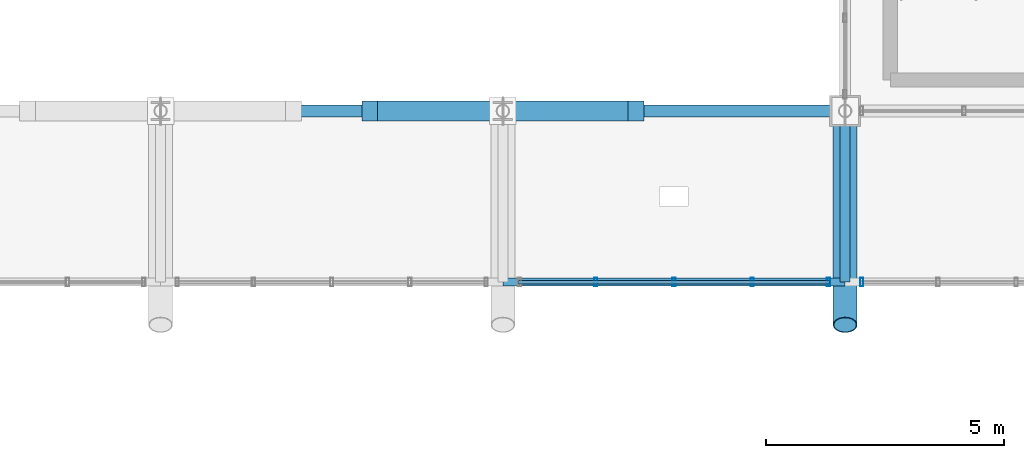
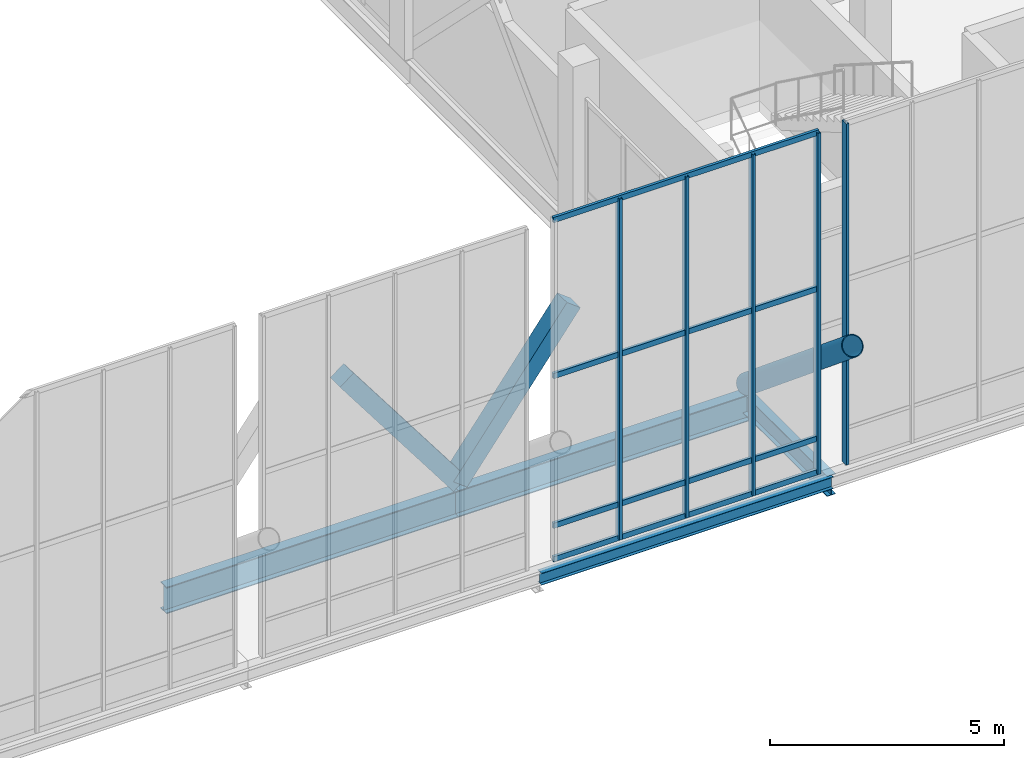
# One storey, part 44 of 102: 12 members, 4 beams, 2 elements without a shape of their own.
"""IFC4 building model written with IfcOpenShell, lengths in metres."""

from ifc_helpers import new_model, si_unit, direction, frame, origin, origin_2d, place, context, subcontext, project, spatial, rectangle, hollow_rectangle, hollow_circle, i_section, extrude, material, material_profile, profile_set, type_object, element, aggregate, save


model = new_model("IFC4")

# Units and contexts
model_context = context("Model", 3, precision=1e-05, world=origin(), true_north=direction((0.0, 1.0)))
body_context = subcontext(model_context, "Body", "Model", "MODEL_VIEW")
ifc_project = project(units=[si_unit("LENGTHUNIT", "METRE"), si_unit("AREAUNIT", "SQUARE_METRE"), si_unit("VOLUMEUNIT", "CUBIC_METRE"), si_unit("PLANEANGLEUNIT", "RADIAN"), si_unit("MASSUNIT", "GRAM", prefix="KILO")], contexts=[model_context])

# Site, building, storey
site_placement = place(None, origin())
site = spatial("IfcSite", under=ifc_project, at=site_placement, CompositionType="ELEMENT")
building_placement = place(site_placement, origin())
building = spatial("IfcBuilding", under=site, at=building_placement, Name="Yarey Park Central Fire Station", CompositionType="ELEMENT")
storey_placement = place(building_placement, frame((0.0, 0.0, 6.0)))
storey = spatial("IfcBuildingStorey", under=building, at=storey_placement, Name="L02", CompositionType="ELEMENT", Elevation=6.0)

# Curtain wall, members
ifc_material_1 = material(Name="Anodized Aluminium Frame", Category="aluminium")
curtain_wall_type = type_object("IfcCurtainWallType", Name="ENV_CW_CLER_9M", PredefinedType="NOTDEFINED", material=ifc_material_1)
curtain_wall_1_placement = place(storey_placement, origin())
curtain_wall_1 = element("IfcCurtainWall", 1, at=curtain_wall_1_placement, inside=storey, type_object=curtain_wall_type, Name="CW_V2_CLER_N_08", PredefinedType="NOTDEFINED")
ifc_material_profile_1 = material_profile(ifc_material_1, hollow_rectangle(XDim=0.070068359375, YDim=0.179931640625, WallThickness=0.00390625, at=origin_2d()), Name="ALU 180x70x4")
ifc_profile_set_1 = profile_set([ifc_material_profile_1], Name="Anodized Aluminium Frame")
member_type_1 = type_object("IfcMemberType", Name="ENV_CW_MULLION", PredefinedType="MULLION", material=ifc_profile_set_1)
member_1_placement = place(storey_placement, frame((114.85009765625, 90.0, 0.0), z_axis=(0.0, 0.0, 1.0), x_axis=(1.0, 0.0, 0.0)))
member_1 = element("IfcMember", 2, at=member_1_placement, type_object=member_type_1, Name="CW_V2_CLER_N_08_MUL1", PredefinedType="MULLION", context=body_context, shape_type="SweptSolid", body=[
    extrude(hollow_rectangle(XDim=0.070068359375, YDim=0.179931640625, WallThickness=0.00390625, at=origin_2d()), origin(), (0.0, 0.0, 1.0), 8.89990234375),
])
member_2_placement = place(storey_placement, frame((113.2451171875, 90.0, 0.0), z_axis=(0.0, 0.0, 1.0), x_axis=(1.0, 0.0, 0.0)))
member_2 = element("IfcMember", 3, at=member_2_placement, type_object=member_type_1, Name="CW_V2_CLER_N_08_MUL2", PredefinedType="MULLION", context=body_context, shape_type="SweptSolid", body=[
    extrude(hollow_rectangle(XDim=0.070068359375, YDim=0.179931640625, WallThickness=0.00390625, at=origin_2d()), origin(), (0.0, 0.0, 1.0), 8.89990234375),
])
member_3_placement = place(storey_placement, frame((111.60009765625, 90.0, 0.0), z_axis=(0.0, 0.0, 1.0), x_axis=(1.0, 0.0, 0.0)))
member_3 = element("IfcMember", 4, at=member_3_placement, type_object=member_type_1, Name="CW_V2_CLER_N_08_MUL3", PredefinedType="MULLION", context=body_context, shape_type="SweptSolid", body=[
    extrude(hollow_rectangle(XDim=0.070068359375, YDim=0.179931640625, WallThickness=0.00390625, at=origin_2d()), origin(), (0.0, 0.0, 1.0), 8.89990234375),
])
member_4_placement = place(storey_placement, frame((109.955078125, 90.0, 0.0), z_axis=(0.0, 0.0, 1.0), x_axis=(1.0, 0.0, 0.0)))
member_4 = element("IfcMember", 5, at=member_4_placement, type_object=member_type_1, Name="CW_V2_CLER_N_08_MUL4", PredefinedType="MULLION", context=body_context, shape_type="SweptSolid", body=[
    extrude(hollow_rectangle(XDim=0.070068359375, YDim=0.179931640625, WallThickness=0.00390625, at=origin_2d()), origin(), (0.0, 0.0, 1.0), 8.89990234375),
])

# Curtain wall, member
curtain_wall_2_placement = place(storey_placement, origin())
curtain_wall_2 = element("IfcCurtainWall", 6, at=curtain_wall_2_placement, inside=storey, type_object=curtain_wall_type, Name="CW_V2_CLER_N_09", PredefinedType="NOTDEFINED")
member_5_placement = place(storey_placement, frame((115.550048828125, 90.0, 0.0), z_axis=(0.0, 0.0, 1.0), x_axis=(1.0, 0.0, 0.0)))
member_5 = element("IfcMember", 7, at=member_5_placement, type_object=member_type_1, Name="CW_V2_CLER_N_09_MUL5", PredefinedType="MULLION", context=body_context, shape_type="SweptSolid", body=[
    extrude(hollow_rectangle(XDim=0.070068359375, YDim=0.179931640625, WallThickness=0.00390625, at=origin_2d()), origin(), (0.0, 0.0, 1.0), 8.89990234375),
])
aggregate(curtain_wall_2, [member_5])

# Member
ifc_material_profile_2 = material_profile(ifc_material_1, hollow_rectangle(XDim=0.070068359375, YDim=0.139892578125, WallThickness=0.00390625, at=origin_2d()), Name="ALU 140x70x4")
ifc_profile_set_2 = profile_set([ifc_material_profile_2], Name="Anodized Aluminium Frame")
member_type_2 = type_object("IfcMemberType", Name="ENV_CW_TRANSOM", PredefinedType="USERDEFINED", material=ifc_profile_set_2)
member_6_placement = place(storey_placement, frame((114.875, 90.0, 0.02490234375), z_axis=(-1.0, 0.0, 0.0), x_axis=(0.0, -1.0, 0.0)))
member_6 = element("IfcMember", 8, at=member_6_placement, type_object=member_type_2, Name="CW_V2_CLER_N_08_TRN1", ObjectType="TRANSOM", PredefinedType="USERDEFINED", context=body_context, shape_type="SweptSolid", body=[
    extrude(hollow_rectangle(XDim=0.070068359375, YDim=0.139892578125, WallThickness=0.00390625, at=origin_2d()), origin(), (0.0, 0.0, 1.0), 6.550048828125),
])

member_7_placement = place(storey_placement, frame((114.875, 90.0, 0.89990234375), z_axis=(-1.0, 0.0, 0.0), x_axis=(0.0, -1.0, 0.0)))
member_7 = element("IfcMember", 9, at=member_7_placement, type_object=member_type_2, Name="CW_V2_CLER_N_08_TRN2", ObjectType="TRANSOM", PredefinedType="USERDEFINED", context=body_context, shape_type="SweptSolid", body=[
    extrude(hollow_rectangle(XDim=0.070068359375, YDim=0.139892578125, WallThickness=0.00390625, at=origin_2d()), origin(), (0.0, 0.0, 1.0), 6.550048828125),
])

member_8_placement = place(storey_placement, frame((114.875, 90.0, 4.805908203125), z_axis=(-1.0, 0.0, 0.0), x_axis=(0.0, -1.0, 0.0)))
member_8 = element("IfcMember", 10, at=member_8_placement, type_object=member_type_2, Name="CW_V2_CLER_N_08_TRN3", ObjectType="TRANSOM", PredefinedType="USERDEFINED", context=body_context, shape_type="SweptSolid", body=[
    extrude(hollow_rectangle(XDim=0.070068359375, YDim=0.139892578125, WallThickness=0.00390625, at=origin_2d()), origin(), (0.0, 0.0, 1.0), 6.550048828125),
])

member_9_placement = place(storey_placement, frame((114.875, 90.0, 8.875), z_axis=(-1.0, 0.0, 0.0), x_axis=(0.0, -1.0, 0.0)))
member_9 = element("IfcMember", 11, at=member_9_placement, type_object=member_type_2, Name="CW_V2_CLER_N_08_TRN4", ObjectType="TRANSOM", PredefinedType="USERDEFINED", context=body_context, shape_type="SweptSolid", body=[
    extrude(hollow_rectangle(XDim=0.070068359375, YDim=0.139892578125, WallThickness=0.00390625, at=origin_2d()), origin(), (0.0, 0.0, 1.0), 6.550048828125),
])

aggregate(curtain_wall_1, [member_1, member_2, member_3, member_4, member_6, member_7, member_8, member_9])

# Beams
ifc_material_2 = material(Name="Steel ASTM A992 Gr. 50", Category="steel")
ifc_material_profile_3 = material_profile(ifc_material_2, i_section(OverallWidth=0.208984375, OverallDepth=0.532958984375, WebThickness=0.01025390625, FlangeThickness=0.015625, at=origin_2d()), Name="W530x92")
ifc_profile_set_3 = profile_set([ifc_material_profile_3], Name="Steel ASTM A992 Gr. 50")
beam_type_1 = type_object("IfcBeamType", Name="STR_BM_W530", PredefinedType="BEAM", material=ifc_profile_set_3)
beam_1_placement = place(storey_placement, frame((115.199951171875, 90.0, -0.46142578125), z_axis=(0.0, 1.0, 0.0), x_axis=(-1.0, 0.0, 0.0)))
element("IfcBeam", 12, at=beam_1_placement, inside=storey, type_object=beam_type_1, Name="EAVE RIB N 08", PredefinedType="BEAM", context=body_context, shape_type="SweptSolid", body=[
    extrude(i_section(OverallWidth=0.208984375, OverallDepth=0.532958984375, WebThickness=0.01025390625, FlangeThickness=0.015625, at=origin_2d()), origin(), (0.0, 0.0, 1.0), 3.60009765625),
])
ifc_material_profile_4 = material_profile(ifc_material_2, i_section(OverallWidth=0.256103515625, OverallDepth=0.693115234375, WebThickness=0.014404296875, FlangeThickness=0.023681640625, at=origin_2d()), Name="W690x170")
ifc_profile_set_4 = profile_set([ifc_material_profile_4], Name="Steel ASTM A992 Gr. 50")
beam_type_2 = type_object("IfcBeamType", Name="STR_BM_W690", PredefinedType="BEAM", material=ifc_profile_set_4)
for number, where, z_axis, x_axis, name in (
    (13, (100.800048828125, 93.60009765625, -0.54150390625), (1.0, 0.0, 0.0), (0.0, 1.0, 0.0), "BMX L02 Y936 X1008"),
    (14, (108.0, 93.60009765625, -0.54150390625), (1.0, 0.0, 0.0), (0.0, 1.0, 0.0), "BMX L02 Y936 X1080"),
):
    element("IfcBeam", number, at=place(storey_placement, frame(where, z_axis=z_axis, x_axis=x_axis)), inside=storey, type_object=beam_type_2, Name=name, PredefinedType="BEAM", context=body_context, shape_type="SweptSolid", body=[
        extrude(i_section(OverallWidth=0.256103515625, OverallDepth=0.693115234375, WebThickness=0.014404296875, FlangeThickness=0.023681640625, at=origin_2d()), origin(), (0.0, 0.0, 1.0), 7.199951171875),
    ])

# Member
ifc_material_3 = material(Name="Steel ASTM A500 Gr. C", Category="steel")
ifc_material_profile_5 = material_profile(ifc_material_3, hollow_circle(Radius=0.25390625, WallThickness=0.02001953125, at=origin_2d()), Name="CHS 508x20")
ifc_profile_set_5 = profile_set([ifc_material_profile_5], Name="Steel ASTM A500 Gr. C")
member_type_3 = type_object("IfcMemberType", Name="STR_CHORD_CHS508", PredefinedType="CHORD", material=ifc_profile_set_5)
member_10_placement = place(storey_placement, frame((115.199951171875, 89.10009765625, 3.71875), z_axis=(0.0, 0.770847459396, -0.637019775473), x_axis=(-1.0, 0.0, 0.0)))
element("IfcMember", 15, at=member_10_placement, inside=storey, type_object=member_type_3, Name="Arched Roof Truss ART_09 Bottom Chord 8", PredefinedType="CHORD", context=body_context, shape_type="SweptSolid", body=[
    extrude(hollow_circle(Radius=0.25390625, WallThickness=0.02001953125, at=origin_2d()), origin(), (0.0, 0.0, 1.0), 5.837646484375),
])

# Beam
ifc_material_profile_6 = material_profile(ifc_material_2, i_section(OverallWidth=0.1650390625, OverallDepth=0.31005859375, WebThickness=0.005859375, FlangeThickness=0.009765625, at=origin_2d()), Name="W310x39")
ifc_profile_set_6 = profile_set([ifc_material_profile_6], Name="Steel ASTM A992 Gr. 50")
beam_type_3 = type_object("IfcBeamType", Name="STR_SPN_W310", PredefinedType="SPANDREL", material=ifc_profile_set_6)
beam_2_placement = place(storey_placement, frame((108.0, 90.0, -0.35009765625), z_axis=(1.0, 0.0, 0.0), x_axis=(0.0, 1.0, 0.0)))
element("IfcBeam", 16, at=beam_2_placement, inside=storey, type_object=beam_type_3, Name="EAVE EDG N 07", PredefinedType="SPANDREL", context=body_context, shape_type="SweptSolid", body=[
    extrude(i_section(OverallWidth=0.1650390625, OverallDepth=0.31005859375, WebThickness=0.005859375, FlangeThickness=0.009765625, at=origin_2d()), origin(), (0.0, 0.0, 1.0), 7.199951171875),
])

# Members
ifc_material_4 = material(Name="Glulam GL28h", Category="wood")
ifc_material_profile_7 = material_profile(ifc_material_4, rectangle(XDim=0.419921875, YDim=0.419921875, at=origin_2d()), Name="GL 420x420")
ifc_profile_set_7 = profile_set([ifc_material_profile_7], Name="Glulam GL28h")
member_type_4 = type_object("IfcMemberType", Name="STR_STRUT_GL420", PredefinedType="STRUT", material=ifc_profile_set_7)
for number, where, z_axis, x_axis, name in (
    (17, (108.0, 93.60009765625, 0.02001953125), (0.603454425048, 0.0, 0.797397489895), (0.0, 1.0, 0.0), "Raked Glulam Strut RGS-051"),
    (18, (108.0, 93.60009765625, 0.02001953125), (-0.603454425048, 0.0, 0.797397489895), (0.0, -1.0, 0.0), "Raked Glulam Strut RGS-052"),
):
    element("IfcMember", number, at=place(storey_placement, frame(where, z_axis=z_axis, x_axis=x_axis)), inside=storey, type_object=member_type_4, Name=name, PredefinedType="STRUT", context=body_context, shape_type="SweptSolid", body=[
        extrude(rectangle(XDim=0.419921875, YDim=0.419921875, at=origin_2d()), origin(), (0.0, 0.0, 1.0), 4.64013671875),
    ])

save(model, "model.ifc")
